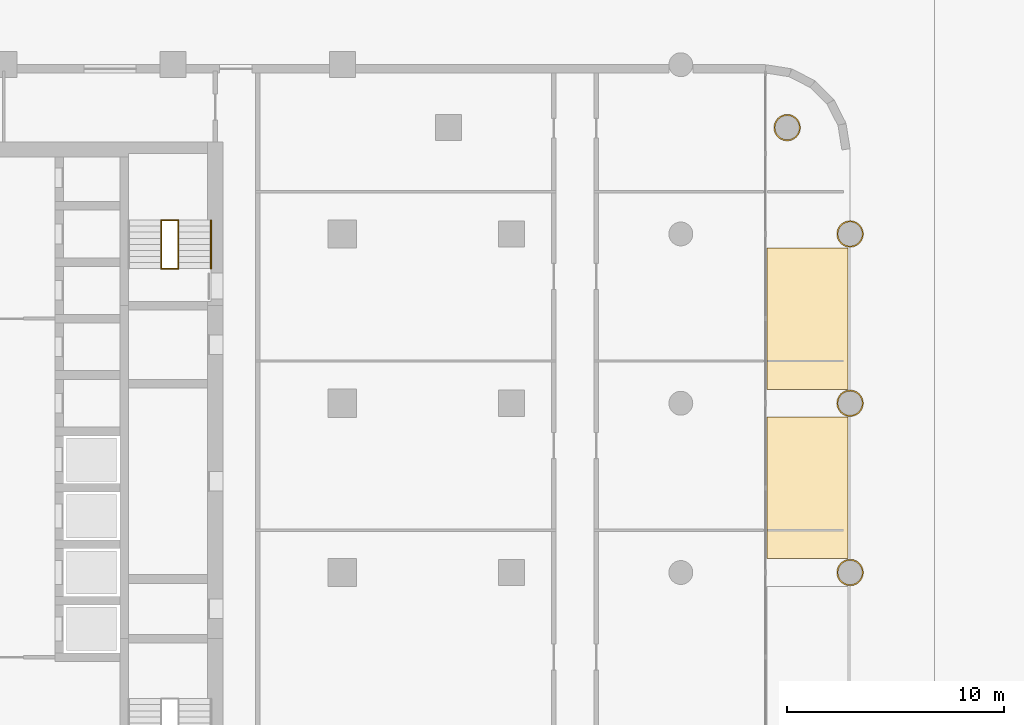
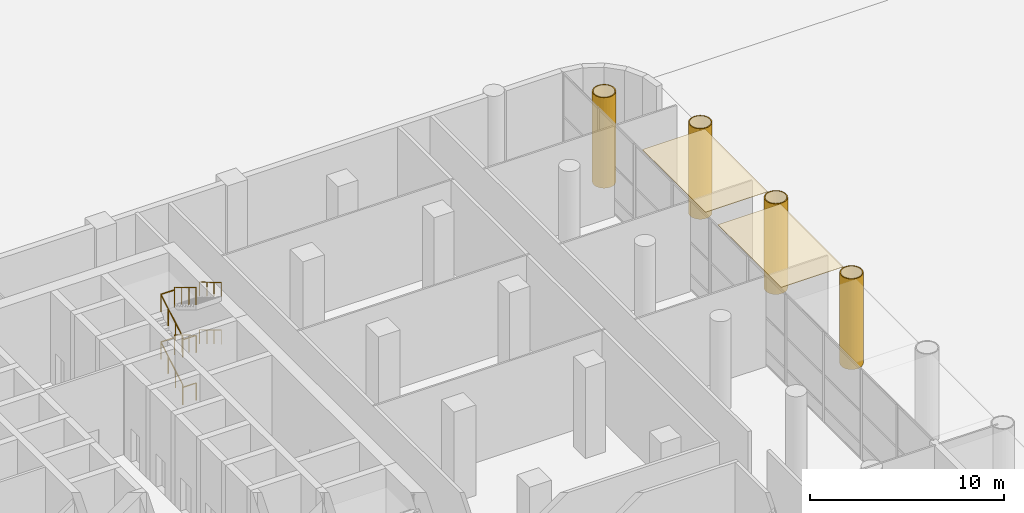
# One storey, part 31 of 32: 10 railings, 6 coverings, 1 element without a shape of its own.
"""IFC4 building model written with IfcOpenShell, lengths in metres."""

from ifc_helpers import new_model, si_unit, direction, frame, origin, origin_2d, place, context, subcontext, project, spatial, polyline, rectangle, circle, outline, extrude, material, layer, layer_set, type_object, element, aggregate, save


model = new_model("IFC4")

# Units and contexts
model_context = context("Model", 3, precision=1e-05, world=origin(), true_north=direction((0.0, 1.0)))
body_context = subcontext(model_context, "Body", "Model", "MODEL_VIEW")
ifc_project = project(units=[si_unit("LENGTHUNIT", "METRE"), si_unit("AREAUNIT", "SQUARE_METRE"), si_unit("VOLUMEUNIT", "CUBIC_METRE"), si_unit("PLANEANGLEUNIT", "RADIAN"), si_unit("MASSUNIT", "GRAM", prefix="KILO")], contexts=[model_context])

# Site, building, storey
site_placement = place(None, origin())
site = spatial("IfcSite", under=ifc_project, at=site_placement, CompositionType="ELEMENT")
building_placement = place(site_placement, origin())
building = spatial("IfcBuilding", under=site, at=building_placement, Name="Ludao Terraces", CompositionType="ELEMENT")
storey_placement = place(building_placement, origin())
storey = spatial("IfcBuildingStorey", under=building, at=storey_placement, Name="L00", CompositionType="ELEMENT", Elevation=0.0)

# Coverings
ifc_material_1 = material(Name="Stone-effect cement board ceiling lining", Category="masonry")
ifc_layer_1 = layer(ifc_material_1, 0.030029296875)
ifc_layer_set_1 = layer_set([ifc_layer_1], Name="ENV Arcade ceiling lining 30")
covering_type_1 = type_object("IfcCoveringType", Name="ENV Arcade ceiling lining 30", PredefinedType="CEILING", material=ifc_layer_set_1)
for number, where, z_axis, x_axis, name in (
    (1, (122.0400390625, 68.89990234375, 5.669921875), (0.0, 0.0, 1.0), (1.0, 0.0, 0.0), "CL-L00-E5"),
    (2, (122.0400390625, 76.699951171875, 5.669921875), (0.0, 0.0, 1.0), (1.0, 0.0, 0.0), "CL-L00-E6"),
):
    element("IfcCovering", number, at=place(storey_placement, frame(where, z_axis=z_axis, x_axis=x_axis)), inside=storey, type_object=covering_type_1, Name=name, PredefinedType="CEILING", context=body_context, shape_type="SweptSolid", body=[
        extrude(rectangle(XDim=3.719970703125, YDim=6.52001953125, at=origin_2d()), origin(), (0.0, 0.0, 1.0), 0.030029296875),
    ])
ifc_material_2 = material(Name="Granite cladding", Category="masonry")
ifc_layer_2 = layer(ifc_material_2, 0.06005859375)
ifc_layer_set_2 = layer_set([ifc_layer_2], Name="ENV Stone column casing 60")
covering_type_2 = type_object("IfcCoveringType", Name="ENV Stone column casing 60", PredefinedType="CLADDING", material=ifc_layer_set_2)
covering_1_placement = place(storey_placement, origin())
element("IfcCovering", 3, at=covering_1_placement, inside=storey, type_object=covering_type_2, Name="CC-L00-G0624x0234", PredefinedType="CLADDING", context=body_context, shape_type="SweptSolid", body=[
    extrude(outline(polyline([(124.61474609375, 65.0), (124.59375, 65.1591796875), (124.532470703125, 65.307373046875), (124.4345703125, 65.4345703125), (124.307373046875, 65.532470703125), (124.1591796875, 65.59375), (124.0, 65.61474609375), (123.8408203125, 65.59375), (123.692626953125, 65.532470703125), (123.5654296875, 65.4345703125), (123.467529296875, 65.307373046875), (123.40625, 65.1591796875), (123.38525390625, 65.0), (123.40625, 64.8408203125), (123.467529296875, 64.692626953125), (123.5654296875, 64.5654296875), (123.692626953125, 64.467529296875), (123.8408203125, 64.40625), (124.0, 64.38525390625), (124.1591796875, 64.40625), (124.307373046875, 64.467529296875), (124.4345703125, 64.5654296875), (124.532470703125, 64.692626953125), (124.59375, 64.8408203125), (124.61474609375, 65.0)]), holes=[polyline([(124.535888671875, 64.8564453125), (124.48046875, 64.72265625), (124.392333984375, 64.607666015625), (124.27734375, 64.51953125), (124.1435546875, 64.464111328125), (124.0, 64.4453125), (123.8564453125, 64.464111328125), (123.72265625, 64.51953125), (123.607666015625, 64.607666015625), (123.51953125, 64.72265625), (123.464111328125, 64.8564453125), (123.4453125, 65.0), (123.464111328125, 65.1435546875), (123.51953125, 65.27734375), (123.607666015625, 65.392333984375), (123.72265625, 65.48046875), (123.8564453125, 65.535888671875), (124.0, 65.5546875), (124.1435546875, 65.535888671875), (124.27734375, 65.48046875), (124.392333984375, 65.392333984375), (124.48046875, 65.27734375), (124.535888671875, 65.1435546875), (124.5546875, 65.0), (124.535888671875, 64.8564453125)])]), origin(), (0.0, 0.0, 1.0), 5.699951171875),
])
covering_2_placement = place(storey_placement, origin())
element("IfcCovering", 4, at=covering_2_placement, inside=storey, type_object=covering_type_2, Name="CC-L00-G0624x0312", PredefinedType="CLADDING", context=body_context, shape_type="SweptSolid", body=[
    extrude(outline(polyline([(124.61474609375, 72.800048828125), (124.59375, 72.959228515625), (124.532470703125, 73.107421875), (124.4345703125, 73.234619140625), (124.307373046875, 73.332275390625), (124.1591796875, 73.393798828125), (124.0, 73.414794921875), (123.8408203125, 73.393798828125), (123.692626953125, 73.332275390625), (123.5654296875, 73.234619140625), (123.467529296875, 73.107421875), (123.40625, 72.959228515625), (123.38525390625, 72.800048828125), (123.40625, 72.640869140625), (123.467529296875, 72.49267578125), (123.5654296875, 72.365234375), (123.692626953125, 72.267578125), (123.8408203125, 72.206298828125), (124.0, 72.185302734375), (124.1591796875, 72.206298828125), (124.307373046875, 72.267578125), (124.4345703125, 72.365234375), (124.532470703125, 72.49267578125), (124.59375, 72.640869140625), (124.61474609375, 72.800048828125)]), holes=[polyline([(124.535888671875, 72.656494140625), (124.48046875, 72.522705078125), (124.392333984375, 72.40771484375), (124.27734375, 72.319580078125), (124.1435546875, 72.26416015625), (124.0, 72.245361328125), (123.8564453125, 72.26416015625), (123.72265625, 72.319580078125), (123.607666015625, 72.40771484375), (123.51953125, 72.522705078125), (123.464111328125, 72.656494140625), (123.4453125, 72.800048828125), (123.464111328125, 72.943603515625), (123.51953125, 73.077392578125), (123.607666015625, 73.1923828125), (123.72265625, 73.280517578125), (123.8564453125, 73.3359375), (124.0, 73.354736328125), (124.1435546875, 73.3359375), (124.27734375, 73.280517578125), (124.392333984375, 73.1923828125), (124.48046875, 73.077392578125), (124.535888671875, 72.943603515625), (124.5546875, 72.800048828125), (124.535888671875, 72.656494140625)])]), origin(), (0.0, 0.0, 1.0), 5.699951171875),
])
covering_3_placement = place(storey_placement, origin())
element("IfcCovering", 5, at=covering_3_placement, inside=storey, type_object=covering_type_2, Name="CC-L00-G0624x0390", PredefinedType="CLADDING", context=body_context, shape_type="SweptSolid", body=[
    extrude(outline(polyline([(124.61474609375, 80.60009765625), (124.59375, 80.759033203125), (124.532470703125, 80.907470703125), (124.4345703125, 81.03466796875), (124.307373046875, 81.13232421875), (124.1591796875, 81.19384765625), (124.0, 81.21484375), (123.8408203125, 81.19384765625), (123.692626953125, 81.13232421875), (123.5654296875, 81.03466796875), (123.467529296875, 80.907470703125), (123.40625, 80.759033203125), (123.38525390625, 80.60009765625), (123.40625, 80.44091796875), (123.467529296875, 80.292724609375), (123.5654296875, 80.165283203125), (123.692626953125, 80.067626953125), (123.8408203125, 80.006103515625), (124.0, 79.9853515625), (124.1591796875, 80.006103515625), (124.307373046875, 80.067626953125), (124.4345703125, 80.165283203125), (124.532470703125, 80.292724609375), (124.59375, 80.44091796875), (124.61474609375, 80.60009765625)]), holes=[polyline([(124.535888671875, 80.45654296875), (124.48046875, 80.322509765625), (124.392333984375, 80.207763671875), (124.27734375, 80.11962890625), (124.1435546875, 80.064208984375), (124.0, 80.045166015625), (123.8564453125, 80.064208984375), (123.72265625, 80.11962890625), (123.607666015625, 80.207763671875), (123.51953125, 80.322509765625), (123.464111328125, 80.45654296875), (123.4453125, 80.60009765625), (123.464111328125, 80.74365234375), (123.51953125, 80.87744140625), (123.607666015625, 80.9921875), (123.72265625, 81.080322265625), (123.8564453125, 81.1357421875), (124.0, 81.15478515625), (124.1435546875, 81.1357421875), (124.27734375, 81.080322265625), (124.392333984375, 80.9921875), (124.48046875, 80.87744140625), (124.535888671875, 80.74365234375), (124.5546875, 80.60009765625), (124.535888671875, 80.45654296875)])]), origin(), (0.0, 0.0, 1.0), 5.699951171875),
])
covering_4_placement = place(storey_placement, origin())
element("IfcCovering", 6, at=covering_4_placement, inside=storey, type_object=covering_type_2, Name="CC-L00-G0595x0439", PredefinedType="CLADDING", context=body_context, shape_type="SweptSolid", body=[
    extrude(outline(polyline([(121.71484375, 85.5), (121.69384765625, 85.6591796875), (121.63232421875, 85.807373046875), (121.53466796875, 85.9345703125), (121.407470703125, 86.032470703125), (121.259033203125, 86.09375), (121.10009765625, 86.11474609375), (120.94091796875, 86.09375), (120.792724609375, 86.032470703125), (120.665283203125, 85.9345703125), (120.567626953125, 85.807373046875), (120.506103515625, 85.6591796875), (120.4853515625, 85.5), (120.506103515625, 85.3408203125), (120.567626953125, 85.192626953125), (120.665283203125, 85.0654296875), (120.792724609375, 84.967529296875), (120.94091796875, 84.90625), (121.10009765625, 84.88525390625), (121.259033203125, 84.90625), (121.407470703125, 84.967529296875), (121.53466796875, 85.0654296875), (121.63232421875, 85.192626953125), (121.69384765625, 85.3408203125), (121.71484375, 85.5)]), holes=[polyline([(121.6357421875, 85.3564453125), (121.580322265625, 85.22265625), (121.4921875, 85.107666015625), (121.37744140625, 85.01953125), (121.24365234375, 84.964111328125), (121.10009765625, 84.9453125), (120.95654296875, 84.964111328125), (120.822509765625, 85.01953125), (120.707763671875, 85.107666015625), (120.61962890625, 85.22265625), (120.564208984375, 85.3564453125), (120.545166015625, 85.5), (120.564208984375, 85.6435546875), (120.61962890625, 85.77734375), (120.707763671875, 85.892333984375), (120.822509765625, 85.98046875), (120.95654296875, 86.035888671875), (121.10009765625, 86.0546875), (121.24365234375, 86.035888671875), (121.37744140625, 85.98046875), (121.4921875, 85.892333984375), (121.580322265625, 85.77734375), (121.6357421875, 85.6435546875), (121.65478515625, 85.5), (121.6357421875, 85.3564453125)])]), origin(), (0.0, 0.0, 1.0), 5.699951171875),
])

# Stair, railings
ifc_material_3 = material(Name="Concrete C40", Category="concrete")
stair_type = type_object("IfcStairType", Name="INT Stair", PredefinedType="HALF_TURN_STAIR", material=ifc_material_3)
stair_placement = place(storey_placement, origin())
stair = element("IfcStair", 7, at=stair_placement, inside=storey, type_object=stair_type, Name="EXIT STAIR 2", PredefinedType="HALF_TURN_STAIR")
ifc_material_4 = material(Name="Stainless steel 304", Category="steel")
railing_type_1 = type_object("IfcRailingType", Name="INT Stair guard 1100", PredefinedType="GUARDRAIL", material=ifc_material_4)
railing_1_placement = place(storey_placement, frame((92.25, 79.0, 0.166748046875)))
railing_1 = element("IfcRailing", 8, at=railing_1_placement, type_object=railing_type_1, Name="ST-L00-S2-R1G", PredefinedType="GUARDRAIL", context=body_context, shape_type="SweptSolid", body=[
    extrude(circle(Radius=0.02392578125, at=origin_2d()), frame((0.0, 0.0, 1.076171875), z_axis=(0.0, 0.859305625298, 0.511462454469), x_axis=(-1.0, 0.0, 0.0)), (0.0, 0.0, 1.0), 2.606689453125),
    extrude(circle(Radius=0.02099609375, at=origin_2d()), origin(), (0.0, 0.0, 1.0), 1.052001953125),
    extrude(circle(Radius=0.02099609375, at=origin_2d()), frame((0.0, 0.74658203125, 0.4443359375)), (0.0, 0.0, 1.0), 1.052001953125),
    extrude(circle(Radius=0.02099609375, at=origin_2d()), frame((0.0, 1.493408203125, 0.888916015625)), (0.0, 0.0, 1.0), 1.052001953125),
    extrude(circle(Radius=0.02099609375, at=origin_2d()), frame((0.0, 2.239990234375, 1.333251953125)), (0.0, 0.0, 1.0), 1.052001953125),
])
railing_2_placement = place(storey_placement, frame((93.050048828125, 81.239990234375, 1.666748046875)))
railing_2 = element("IfcRailing", 9, at=railing_2_placement, type_object=railing_type_1, Name="ST-L00-S2-R2G", PredefinedType="GUARDRAIL", context=body_context, shape_type="SweptSolid", body=[
    extrude(circle(Radius=0.02392578125, at=origin_2d()), frame((0.0, 0.0, 1.076171875), z_axis=(0.0, -0.859305625298, 0.511462454469), x_axis=(1.0, 0.0, 0.0)), (0.0, 0.0, 1.0), 2.606689453125),
    extrude(circle(Radius=0.02099609375, at=origin_2d()), origin(), (0.0, 0.0, 1.0), 1.052001953125),
    extrude(circle(Radius=0.02099609375, at=origin_2d()), frame((0.0, -0.74658203125, 0.4443359375)), (0.0, 0.0, 1.0), 1.052001953125),
    extrude(circle(Radius=0.02099609375, at=origin_2d()), frame((0.0, -1.493408203125, 0.888916015625)), (0.0, 0.0, 1.0), 1.052001953125),
    extrude(circle(Radius=0.02099609375, at=origin_2d()), frame((0.0, -2.239990234375, 1.333251953125)), (0.0, 0.0, 1.0), 1.052001953125),
])
railing_3_placement = place(storey_placement, frame((92.25, 79.0, 3.166748046875)))
railing_3 = element("IfcRailing", 10, at=railing_3_placement, type_object=railing_type_1, Name="ST-L00-S2-R3G", PredefinedType="GUARDRAIL", context=body_context, shape_type="SweptSolid", body=[
    extrude(circle(Radius=0.02392578125, at=origin_2d()), frame((0.0, 0.0, 1.076171875), z_axis=(0.0, 0.859305625298, 0.511462454469), x_axis=(-1.0, 0.0, 0.0)), (0.0, 0.0, 1.0), 2.606689453125),
    extrude(circle(Radius=0.02099609375, at=origin_2d()), origin(), (0.0, 0.0, 1.0), 1.052001953125),
    extrude(circle(Radius=0.02099609375, at=origin_2d()), frame((0.0, 0.74658203125, 0.4443359375)), (0.0, 0.0, 1.0), 1.052001953125),
    extrude(circle(Radius=0.02099609375, at=origin_2d()), frame((0.0, 1.493408203125, 0.888916015625)), (0.0, 0.0, 1.0), 1.052001953125),
    extrude(circle(Radius=0.02099609375, at=origin_2d()), frame((0.0, 2.239990234375, 1.333251953125)), (0.0, 0.0, 1.0), 1.052001953125),
])
railing_4_placement = place(storey_placement, frame((93.050048828125, 81.239990234375, 4.666748046875)))
railing_4 = element("IfcRailing", 11, at=railing_4_placement, type_object=railing_type_1, Name="ST-L00-S2-R4G", PredefinedType="GUARDRAIL", context=body_context, shape_type="SweptSolid", body=[
    extrude(circle(Radius=0.02392578125, at=origin_2d()), frame((0.0, 0.0, 1.076171875), z_axis=(0.0, -0.859305625298, 0.511462454469), x_axis=(1.0, 0.0, 0.0)), (0.0, 0.0, 1.0), 2.606689453125),
    extrude(circle(Radius=0.02099609375, at=origin_2d()), origin(), (0.0, 0.0, 1.0), 1.052001953125),
    extrude(circle(Radius=0.02099609375, at=origin_2d()), frame((0.0, -0.74658203125, 0.4443359375)), (0.0, 0.0, 1.0), 1.052001953125),
    extrude(circle(Radius=0.02099609375, at=origin_2d()), frame((0.0, -1.493408203125, 0.888916015625)), (0.0, 0.0, 1.0), 1.052001953125),
    extrude(circle(Radius=0.02099609375, at=origin_2d()), frame((0.0, -2.239990234375, 1.333251953125)), (0.0, 0.0, 1.0), 1.052001953125),
])
railing_5_placement = place(storey_placement, frame((92.25, 81.239990234375, 1.5)))
railing_5 = element("IfcRailing", 12, at=railing_5_placement, type_object=railing_type_1, Name="ST-L00-S2-E1G", PredefinedType="GUARDRAIL", context=body_context, shape_type="SweptSolid", body=[
    extrude(circle(Radius=0.02392578125, at=origin_2d()), frame((0.0, 0.0, 1.076171875), z_axis=(1.0, 0.0, 0.0), x_axis=(0.0, 1.0, 0.0)), (0.0, 0.0, 1.0), 0.800048828125),
    extrude(circle(Radius=0.02099609375, at=origin_2d()), origin(), (0.0, 0.0, 1.0), 1.052001953125),
    extrude(circle(Radius=0.02099609375, at=origin_2d()), frame((0.800048828125, 0.0, 0.0)), (0.0, 0.0, 1.0), 1.052001953125),
])
railing_6_placement = place(storey_placement, frame((92.25, 79.0, 3.0)))
railing_6 = element("IfcRailing", 13, at=railing_6_placement, type_object=railing_type_1, Name="ST-L00-S2-E2G", PredefinedType="GUARDRAIL", context=body_context, shape_type="SweptSolid", body=[
    extrude(circle(Radius=0.02392578125, at=origin_2d()), frame((0.0, 0.0, 1.076171875), z_axis=(1.0, 0.0, 0.0), x_axis=(0.0, 1.0, 0.0)), (0.0, 0.0, 1.0), 0.800048828125),
    extrude(circle(Radius=0.02099609375, at=origin_2d()), origin(), (0.0, 0.0, 1.0), 1.052001953125),
    extrude(circle(Radius=0.02099609375, at=origin_2d()), frame((0.800048828125, 0.0, 0.0)), (0.0, 0.0, 1.0), 1.052001953125),
])
railing_7_placement = place(storey_placement, frame((92.25, 81.239990234375, 4.5)))
railing_7 = element("IfcRailing", 14, at=railing_7_placement, type_object=railing_type_1, Name="ST-L00-S2-E3G", PredefinedType="GUARDRAIL", context=body_context, shape_type="SweptSolid", body=[
    extrude(circle(Radius=0.02392578125, at=origin_2d()), frame((0.0, 0.0, 1.076171875), z_axis=(1.0, 0.0, 0.0), x_axis=(0.0, 1.0, 0.0)), (0.0, 0.0, 1.0), 0.800048828125),
    extrude(circle(Radius=0.02099609375, at=origin_2d()), origin(), (0.0, 0.0, 1.0), 1.052001953125),
    extrude(circle(Radius=0.02099609375, at=origin_2d()), frame((0.800048828125, 0.0, 0.0)), (0.0, 0.0, 1.0), 1.052001953125),
])
railing_8_placement = place(storey_placement, frame((92.25, 79.0, 0.0)))
railing_8 = element("IfcRailing", 15, at=railing_8_placement, type_object=railing_type_1, Name="ST-L00-S2-E4G", PredefinedType="GUARDRAIL", context=body_context, shape_type="SweptSolid", body=[
    extrude(circle(Radius=0.02392578125, at=origin_2d()), frame((0.0, 0.0, 1.076171875), z_axis=(1.0, 0.0, 0.0), x_axis=(0.0, 1.0, 0.0)), (0.0, 0.0, 1.0), 0.800048828125),
    extrude(circle(Radius=0.02099609375, at=origin_2d()), origin(), (0.0, 0.0, 1.0), 1.052001953125),
    extrude(circle(Radius=0.02099609375, at=origin_2d()), frame((0.800048828125, 0.0, 0.0)), (0.0, 0.0, 1.0), 1.052001953125),
])
railing_type_2 = type_object("IfcRailingType", Name="INT Stair handrail 900", PredefinedType="HANDRAIL", material=ifc_material_4)
railing_9_placement = place(storey_placement, frame((94.550048828125, 81.239990234375, 1.666748046875)))
railing_9 = element("IfcRailing", 16, at=railing_9_placement, type_object=railing_type_2, Name="ST-L00-S2-R2H", PredefinedType="HANDRAIL", context=body_context, shape_type="SweptSolid", body=[
    extrude(circle(Radius=0.02392578125, at=origin_2d()), frame((0.0, 0.0, 0.8759765625), z_axis=(0.0, -0.859305625298, 0.511462454469), x_axis=(1.0, 0.0, 0.0)), (0.0, 0.0, 1.0), 2.606689453125),
    extrude(circle(Radius=0.02099609375, at=origin_2d()), origin(), (0.0, 0.0, 1.0), 0.851806640625),
    extrude(circle(Radius=0.02099609375, at=origin_2d()), frame((0.0, -0.74658203125, 0.4443359375)), (0.0, 0.0, 1.0), 0.851806640625),
    extrude(circle(Radius=0.02099609375, at=origin_2d()), frame((0.0, -1.493408203125, 0.888916015625)), (0.0, 0.0, 1.0), 0.851806640625),
    extrude(circle(Radius=0.02099609375, at=origin_2d()), frame((0.0, -2.239990234375, 1.333251953125)), (0.0, 0.0, 1.0), 0.851806640625),
])
railing_10_placement = place(storey_placement, frame((94.550048828125, 81.239990234375, 4.666748046875)))
railing_10 = element("IfcRailing", 17, at=railing_10_placement, type_object=railing_type_2, Name="ST-L00-S2-R4H", PredefinedType="HANDRAIL", context=body_context, shape_type="SweptSolid", body=[
    extrude(circle(Radius=0.02392578125, at=origin_2d()), frame((0.0, 0.0, 0.8759765625), z_axis=(0.0, -0.859305625298, 0.511462454469), x_axis=(1.0, 0.0, 0.0)), (0.0, 0.0, 1.0), 2.606689453125),
    extrude(circle(Radius=0.02099609375, at=origin_2d()), origin(), (0.0, 0.0, 1.0), 0.851806640625),
    extrude(circle(Radius=0.02099609375, at=origin_2d()), frame((0.0, -0.74658203125, 0.4443359375)), (0.0, 0.0, 1.0), 0.851806640625),
    extrude(circle(Radius=0.02099609375, at=origin_2d()), frame((0.0, -1.493408203125, 0.888916015625)), (0.0, 0.0, 1.0), 0.851806640625),
    extrude(circle(Radius=0.02099609375, at=origin_2d()), frame((0.0, -2.239990234375, 1.333251953125)), (0.0, 0.0, 1.0), 0.851806640625),
])
aggregate(stair, [railing_1, railing_2, railing_9, railing_3, railing_4, railing_10, railing_5, railing_6, railing_7, railing_8])

save(model, "model.ifc")
